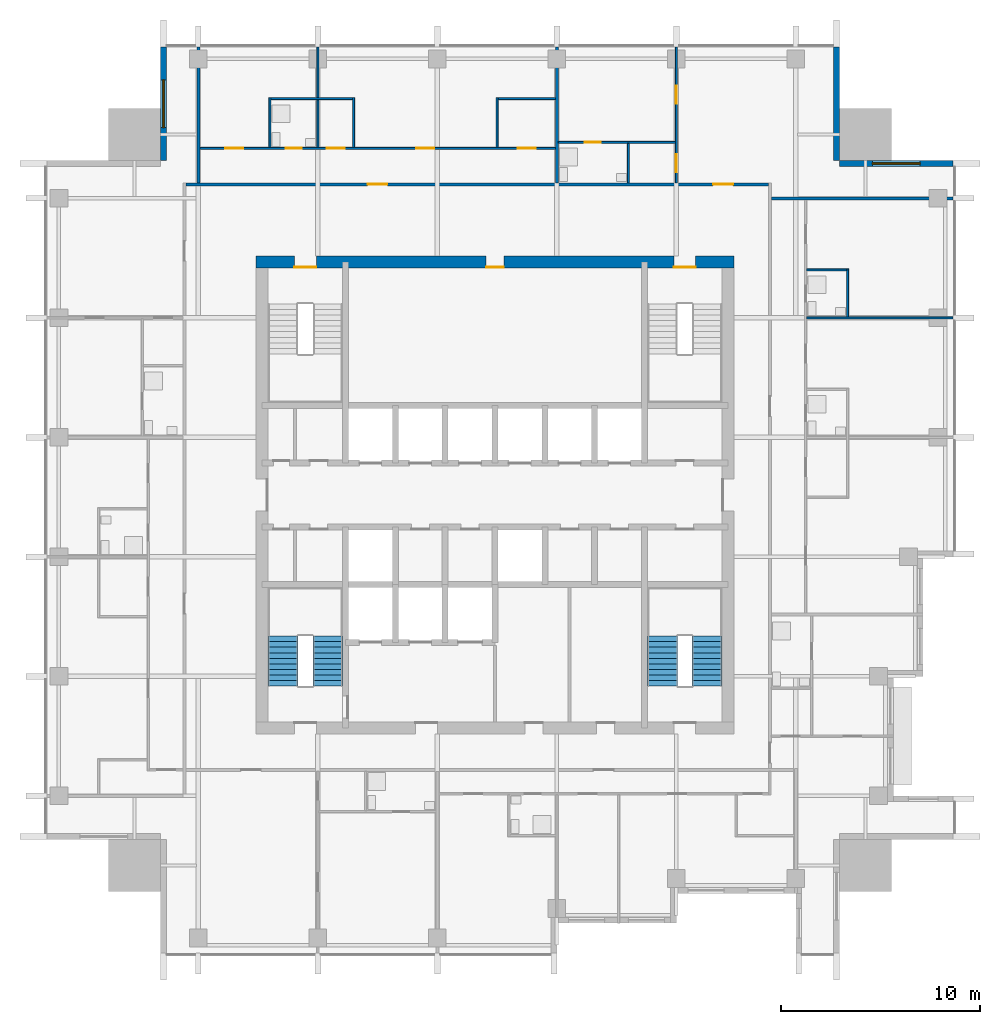
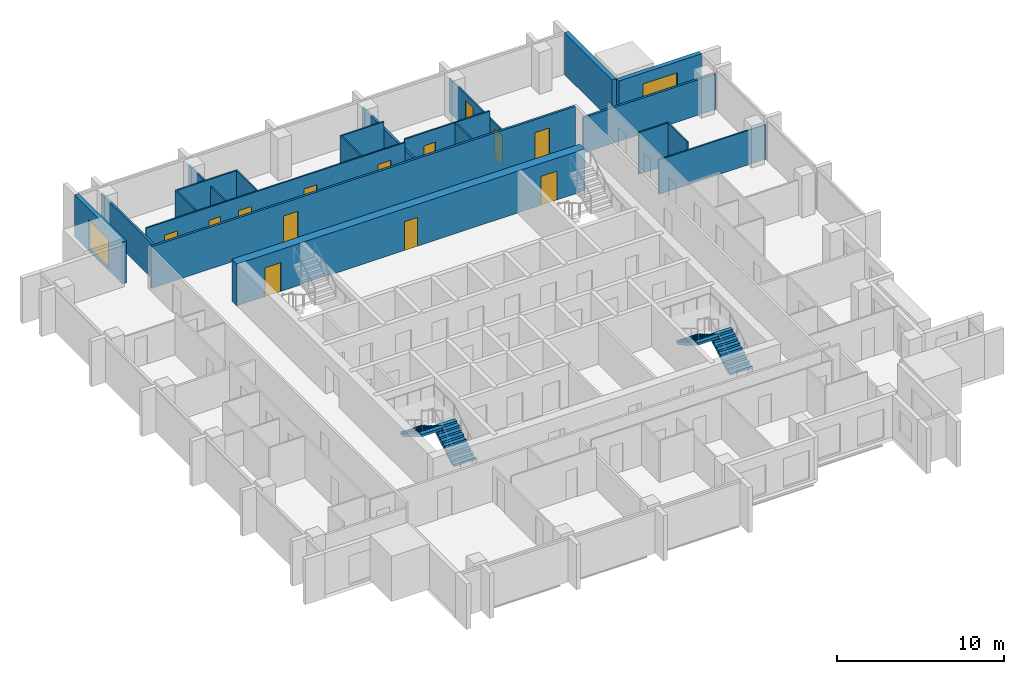
# One storey, part 7 of 10: 21 walls, 13 doors, 4 stair flights, 2 windows, 15 openings, 2 elements without a shape of their own.
"""IFC4 building model written with IfcOpenShell, lengths in metres."""

import ifcopenshell
import ifcopenshell.guid

model = None  # the IFC model being written
_history = None  # IfcOwnerHistory: only IFC2X3 demands one
_inside = {}  # id of a spatial element -> (the spatial element, [elements in it])
_under = {}  # id of a project, library or spatial element -> (it, [spatial elements below it])
_declared = {}  # id of a project -> (the project, [libraries it declares])
_typed = {}  # id of a type object -> (the type object, [elements of that type])
_made_of = {}  # id of a material, layer set ... -> (it, [elements and type objects made of it])


def new_model(schema):
    """Start an empty IFC model of exactly this schema.

    Asked for "IFC4X3", IfcOpenShell would pick the latest addendum, in which some entities
    have other attributes; the version numbers below select the first issue.
    IFC2X3 requires an IfcOwnerHistory on every rooted entity: one is made here for all.
    """
    global model, _history
    if schema == "IFC4X3":
        model = ifcopenshell.file(schema_version=(4, 3, 0, 0))
    else:
        model = ifcopenshell.file(schema=schema)
    _inside.clear()
    _under.clear()
    _declared.clear()
    _typed.clear()
    _made_of.clear()
    _history = None
    if model.schema == "IFC2X3":
        org = make("IfcOrganization", Name="unknown")
        user = make(
            "IfcPersonAndOrganization",
            ThePerson=make("IfcPerson", FamilyName="unknown"),
            TheOrganization=org,
        )
        app = make(
            "IfcApplication",
            ApplicationDeveloper=org,
            Version="unknown",
            ApplicationFullName="unknown",
            ApplicationIdentifier="unknown",
        )
        _history = make(
            "IfcOwnerHistory",
            OwningUser=user,
            OwningApplication=app,
            ChangeAction="ADDED",
            CreationDate=0,
        )
    return model


def make(cls, **values):
    """One entity of the class cls with the attributes given. An attribute that is None is left unset."""
    return model.create_entity(
        cls, **{name: value for name, value in values.items() if value is not None}
    )


def rooted(cls, **values):
    """An entity with a GlobalId (a new one), such as an element, a storey or a relation."""
    return make(cls, GlobalId=ifcopenshell.guid.new(), OwnerHistory=_history, **values)


def si_unit(unit_type, name, prefix=None):
    """IfcSIUnit, for example si_unit("LENGTHUNIT", "METRE", prefix="MILLI")."""
    return make("IfcSIUnit", UnitType=unit_type, Prefix=prefix, Name=name)


def assignment(units):
    """IfcUnitAssignment: the units of a project."""
    return None if units is None else make("IfcUnitAssignment", Units=units)


def point(xyz):
    """IfcCartesianPoint."""
    return None if xyz is None else make("IfcCartesianPoint", Coordinates=xyz)


def direction(xyz):
    """IfcDirection."""
    return None if xyz is None else make("IfcDirection", DirectionRatios=xyz)


def frame(location, z_axis=None, x_axis=None):
    """IfcAxis2Placement3D, a coordinate frame: its origin and axes. An axis left out is left unset."""
    return make(
        "IfcAxis2Placement3D",
        Location=point(location),
        Axis=direction(z_axis),
        RefDirection=direction(x_axis),
    )


def frame_2d(location, x_axis=None):
    """IfcAxis2Placement2D, a coordinate frame in the plane: its origin and x axis."""
    return make(
        "IfcAxis2Placement2D", Location=point(location), RefDirection=direction(x_axis)
    )


def origin():
    """The frame at (0, 0, 0) with its axes left unset."""
    return frame((0.0, 0.0, 0.0))


def place(relative_to, where):
    """IfcLocalPlacement: puts the frame where relative to a parent placement (None: the world)."""
    return make(
        "IfcLocalPlacement", PlacementRelTo=relative_to, RelativePlacement=where
    )


def context(
    kind, dimensions, precision=None, world=None, true_north=None, identifier=None
):
    """IfcGeometricRepresentationContext, for example the 3D "Model" context."""
    return make(
        "IfcGeometricRepresentationContext",
        ContextIdentifier=identifier,
        ContextType=kind,
        CoordinateSpaceDimension=dimensions,
        Precision=precision,
        WorldCoordinateSystem=world,
        TrueNorth=true_north,
    )


def subcontext(parent, identifier, kind, view, scale=None):
    """IfcGeometricRepresentationSubContext, for example "Body" below "Model"."""
    return make(
        "IfcGeometricRepresentationSubContext",
        ContextIdentifier=identifier,
        ContextType=kind,
        ParentContext=parent,
        TargetScale=scale,
        TargetView=view,
    )


def project(units=None, contexts=None):
    """IfcProject with its units and contexts."""
    return rooted(
        "IfcProject",
        Name="project",
        RepresentationContexts=contexts,
        UnitsInContext=assignment(units),
    )


def spatial(cls, under=None, at=None, **own):
    """A site, building, storey or space (cls), placed at a placement, below another one or the project."""
    s = rooted(cls, ObjectPlacement=at, **own)
    if under is not None:
        _under.setdefault(under.id(), (under, []))[1].append(s)
    return s


def polyline(points):
    """IfcPolyline through the points."""
    return make("IfcPolyline", Points=[point(p) for p in points])


def profile(cls, at=None, kind="AREA", **sizes):
    """A parametric profile (cls). Its sizes go by their IFC names, for example OverallWidth=200.0."""
    return make(cls, ProfileType=kind, Position=at, **sizes)


def rectangle(**sizes):
    """IfcRectangleProfileDef."""
    return profile("IfcRectangleProfileDef", **sizes)


def outline(outer, holes=None, kind="AREA"):
    """IfcArbitraryClosedProfileDef: a profile drawn as a closed curve; with holes, ...WithVoids."""
    if holes is None:
        return make("IfcArbitraryClosedProfileDef", ProfileType=kind, OuterCurve=outer)
    return make(
        "IfcArbitraryProfileDefWithVoids",
        ProfileType=kind,
        OuterCurve=outer,
        InnerCurves=holes,
    )


def extrude(swept, where, along, depth):
    """IfcExtrudedAreaSolid: the profile swept, set in the frame where, extruded along a direction by depth."""
    return make(
        "IfcExtrudedAreaSolid",
        SweptArea=swept,
        Position=where,
        ExtrudedDirection=direction(along),
        Depth=depth,
    )


def shape(context_of_items, identifier, shape_type, items):
    """IfcShapeRepresentation: the items that make up one representation, for example the "Body"."""
    return make(
        "IfcShapeRepresentation",
        ContextOfItems=context_of_items,
        RepresentationIdentifier=identifier,
        RepresentationType=shape_type,
        Items=items,
    )


def material(Name=None, Category=None):
    """IfcMaterial."""
    return make("IfcMaterial", Name=Name, Category=Category)


def layer(
    of_material, thickness, ventilated=None, Name=None, Category=None, Priority=None
):
    """IfcMaterialLayer: one layer of a wall or slab, of a material (None: an air gap)."""
    return make(
        "IfcMaterialLayer",
        Material=of_material,
        LayerThickness=thickness,
        IsVentilated=ventilated,
        Name=Name,
        Category=Category,
        Priority=Priority,
    )


def layer_set(layers, Name=None):
    """IfcMaterialLayerSet."""
    return make("IfcMaterialLayerSet", MaterialLayers=layers, LayerSetName=Name)


def made_of(thing, what):
    """Note that an element or type object is made of a material, layer set ...; save() writes the relation."""
    if what is not None:
        _made_of.setdefault(what.id(), (what, []))[1].append(thing)
    return thing


def type_object(cls, material=None, **own):
    """A type object (cls), such as IfcWallType, which elements share."""
    return made_of(rooted(cls, **own), material)


def element(
    cls,
    number,
    at=None,
    inside=None,
    cuts=None,
    type_object=None,
    material=None,
    context=None,
    identifier="Body",
    shape_type=None,
    held_by="IfcProductDefinitionShape",
    body=None,
    shapes=None,
    **own,
):
    """One element of the class cls, such as IfcWall. Its Tag is "e" and its number.

    at: its placement. inside: the storey or other place that contains it. cuts: it is an
    opening in that element (IfcRelVoidsElement). A single representation is given by context,
    identifier, shape_type and body (its items); several are given by shapes. held_by: the class
    of the entity that holds the representations. save() writes the other relations.
    """
    e = rooted(cls, Tag="e%d" % number, ObjectPlacement=at, **own)
    if body is not None:
        shapes = [shape(context, identifier, shape_type, body)]
    if shapes is not None:
        e.Representation = make(held_by, Representations=shapes)
    if inside is not None:
        _inside.setdefault(inside.id(), (inside, []))[1].append(e)
    if cuts is not None:
        rooted(
            "IfcRelVoidsElement", RelatingBuildingElement=cuts, RelatedOpeningElement=e
        )
    if type_object is not None:
        _typed.setdefault(type_object.id(), (type_object, []))[1].append(e)
    return made_of(e, material)


def fill(opening, filler):
    """IfcRelFillsElement: the door or window that sits in an opening."""
    return rooted(
        "IfcRelFillsElement",
        RelatingOpeningElement=opening,
        RelatedBuildingElement=filler,
    )


def aggregate(whole, parts):
    """IfcRelAggregates: a whole, such as a stair, and the parts it consists of."""
    return rooted("IfcRelAggregates", RelatingObject=whole, RelatedObjects=parts)


def save(model, path):
    """Write the relations noted so far, then the file.

    IfcRelAggregates (storeys below a building ...), IfcRelContainedInSpatialStructure (elements
    in a storey), IfcRelDefinesByType, IfcRelAssociatesMaterial and IfcRelDeclares: one each for
    every whole, place, type object, material and project.
    """
    for whole, parts in _under.values():
        aggregate(whole, parts)
    for where, things in _inside.values():
        rooted(
            "IfcRelContainedInSpatialStructure",
            RelatedElements=things,
            RelatingStructure=where,
        )
    for kind, things in _typed.values():
        rooted("IfcRelDefinesByType", RelatedObjects=things, RelatingType=kind)
    for what, things in _made_of.values():
        rooted("IfcRelAssociatesMaterial", RelatedObjects=things, RelatingMaterial=what)
    for by, libraries in _declared.values():
        rooted("IfcRelDeclares", RelatingContext=by, RelatedDefinitions=libraries)
    model.write(path)


model = new_model("IFC4")

# Units and contexts
model_context = context("Model", 3, precision=1e-05, world=origin(), true_north=direction((0.0, 1.0)))
body_context = subcontext(model_context, "Body", "Model", "MODEL_VIEW")
ifc_project = project(units=[si_unit("LENGTHUNIT", "METRE"), si_unit("AREAUNIT", "SQUARE_METRE"), si_unit("VOLUMEUNIT", "CUBIC_METRE"), si_unit("PLANEANGLEUNIT", "RADIAN"), si_unit("MASSUNIT", "GRAM", prefix="KILO")], contexts=[model_context])

# Site, building, storey
site_placement = place(None, origin())
site = spatial("IfcSite", under=ifc_project, at=site_placement, CompositionType="ELEMENT")
building_placement = place(site_placement, origin())
building = spatial("IfcBuilding", under=site, at=building_placement, Name="Amberfall Residences", CompositionType="ELEMENT")
storey_placement = place(building_placement, frame((0.0, 0.0, 190.300048828125)))
storey = spatial("IfcBuildingStorey", under=building, at=storey_placement, Name="L50", CompositionType="ELEMENT", Elevation=190.300048828125)

# Wall, opening, window
ifc_material_1 = material(Name="Pale stone cladding on insulated backing", Category="masonry")
ifc_layer_1 = layer(ifc_material_1, 0.300048828125)
ifc_layer_set_1 = layer_set([ifc_layer_1], Name="Bronze clad wall 300")
wall_type_1 = type_object("IfcWallType", Name="Bronze clad wall 300", PredefinedType="SOLIDWALL", material=ifc_layer_set_1)
wall_1_placement = place(storey_placement, frame((97.5, 62.14990234375, 0.0), z_axis=(0.0, 0.0, 1.0), x_axis=(-1.0, 0.0, 0.0)))
wall_1 = element("IfcWall", 1, at=wall_1_placement, inside=storey, type_object=wall_type_1, Name="External wall L50 NE", PredefinedType="SOLIDWALL", context=body_context, shape_type="SweptSolid", body=[
    extrude(rectangle(XDim=5.699951171875, YDim=0.300048828125, at=frame_2d((2.85009765625, 0.0))), origin(), (0.0, 0.0, 1.0), 3.050048828125),
])
opening_1_placement = place(wall_1_placement, frame((1.64990234375, 0.0, 0.14990234375)))
opening_1 = element("IfcOpeningElement", 2, at=opening_1_placement, cuts=wall_1, Name="Opening WN5", PredefinedType="OPENING", context=body_context, shape_type="SweptSolid", body=[
    extrude(rectangle(XDim=2.39990234375, YDim=2.10009765625, at=frame_2d((1.199951171875, 1.050048828125))), frame((0.0, 0.159912109375, 0.0), z_axis=(0.0, -1.0, 0.0), x_axis=(1.0, 0.0, 0.0)), (0.0, 0.0, 1.0), 0.320068359375),
])
ifc_material_2 = material(Name="Bronze aluminium framed glazing", Category="aluminium")
window_type = type_object("IfcWindowType", Name="Glazed opening 2400 x 2100 bronze", PartitioningType="DOUBLE_PANEL_VERTICAL", PredefinedType="WINDOW", material=ifc_material_2)
window_1_placement = place(opening_1_placement, origin())
window_1 = element("IfcWindow", 3, at=window_1_placement, inside=storey, type_object=window_type, Name="Window L50 NE", OverallHeight=2.10009765625, OverallWidth=2.39990234375, PartitioningType="DOUBLE_PANEL_VERTICAL", PredefinedType="WINDOW", context=body_context, shape_type="SweptSolid", body=[
    extrude(rectangle(XDim=2.39990234375, YDim=2.10009765625, at=frame_2d((1.199951171875, 1.050048828125))), frame((0.0, 0.030029296875, 0.0), z_axis=(0.0, -1.0, 0.0), x_axis=(1.0, 0.0, 0.0)), (0.0, 0.0, 1.0), 0.06005859375),
])
fill(opening_1, window_1)

# Wall
wall_2_placement = place(storey_placement, frame((91.64990234375, 62.300048828125, 0.0), z_axis=(0.0, 0.0, 1.0), x_axis=(0.0, 1.0, 0.0)))
element("IfcWall", 4, at=wall_2_placement, inside=storey, type_object=wall_type_1, Name="External wall L50 NE", PredefinedType="SOLIDWALL", context=body_context, shape_type="SweptSolid", body=[
    extrude(rectangle(XDim=5.699951171875, YDim=0.300048828125, at=frame_2d((2.85009765625, 0.0))), origin(), (0.0, 0.0, 1.0), 3.050048828125),
])

# Wall, opening, window
wall_3_placement = place(storey_placement, frame((57.85009765625, 68.0, 0.0), z_axis=(0.0, 0.0, 1.0), x_axis=(0.0, -1.0, 0.0)))
wall_3 = element("IfcWall", 5, at=wall_3_placement, inside=storey, type_object=wall_type_1, Name="External wall L50 NW", PredefinedType="SOLIDWALL", context=body_context, shape_type="SweptSolid", body=[
    extrude(rectangle(XDim=5.699951171875, YDim=0.300048828125, at=frame_2d((2.85009765625, 0.0))), origin(), (0.0, 0.0, 1.0), 3.050048828125),
])
opening_2_placement = place(wall_3_placement, frame((1.64990234375, 0.0, 0.14990234375)))
opening_2 = element("IfcOpeningElement", 6, at=opening_2_placement, cuts=wall_3, Name="Opening WN5", PredefinedType="OPENING", context=body_context, shape_type="SweptSolid", body=[
    extrude(rectangle(XDim=2.39990234375, YDim=2.10009765625, at=frame_2d((1.199951171875, 1.050048828125))), frame((0.0, 0.159912109375, 0.0), z_axis=(0.0, -1.0, 0.0), x_axis=(1.0, 0.0, 0.0)), (0.0, 0.0, 1.0), 0.320068359375),
])
window_2_placement = place(opening_2_placement, origin())
window_2 = element("IfcWindow", 7, at=window_2_placement, inside=storey, type_object=window_type, Name="Window L50 NW", OverallHeight=2.10009765625, OverallWidth=2.39990234375, PartitioningType="DOUBLE_PANEL_VERTICAL", PredefinedType="WINDOW", context=body_context, shape_type="SweptSolid", body=[
    extrude(rectangle(XDim=2.39990234375, YDim=2.10009765625, at=frame_2d((1.199951171875, 1.050048828125))), frame((0.0, 0.030029296875, 0.0), z_axis=(0.0, -1.0, 0.0), x_axis=(1.0, 0.0, 0.0)), (0.0, 0.0, 1.0), 0.06005859375),
])
fill(opening_2, window_2)

# Wall, openings, doors
ifc_material_3 = material(Name="Concrete C55", Category="concrete")
ifc_layer_2 = layer(ifc_material_3, 0.60009765625)
ifc_layer_set_2 = layer_set([ifc_layer_2], Name="Core wall 600 C55")
wall_type_2 = type_object("IfcWallType", Name="Core wall 600 C55", PredefinedType="SHEAR", material=ifc_layer_set_2)
wall_4_placement = place(storey_placement, frame((62.5, 57.199951171875, 0.0), z_axis=(0.0, 0.0, 1.0), x_axis=(1.0, 0.0, 0.0)))
wall_4 = element("IfcWall", 8, at=wall_4_placement, inside=storey, type_object=wall_type_2, Name="Core wall RW7 L50 ON", PredefinedType="SHEAR", context=body_context, shape_type="SweptSolid", body=[
    extrude(rectangle(XDim=24.0, YDim=0.60009765625, at=frame_2d((12.0, 0.0))), origin(), (0.0, 0.0, 1.0), 3.050048828125),
])
opening_3_placement = place(wall_4_placement, frame((20.97509765625, 0.0, 0.0)))
opening_3 = element("IfcOpeningElement", 9, at=opening_3_placement, cuts=wall_4, Name="Opening SD1", PredefinedType="OPENING", context=body_context, shape_type="SweptSolid", body=[
    extrude(rectangle(XDim=1.10009765625, YDim=2.10009765625, at=frame_2d((0.550048828125, 1.050048828125))), frame((0.0, 0.31005859375, 0.0), z_axis=(0.0, -1.0, 0.0), x_axis=(1.0, 0.0, 0.0)), (0.0, 0.0, 1.0), 0.6201171875),
])
opening_4_placement = place(wall_4_placement, frame((1.925048828125, 0.0, 0.0)))
opening_4 = element("IfcOpeningElement", 10, at=opening_4_placement, cuts=wall_4, Name="Opening SD1", PredefinedType="OPENING", context=body_context, shape_type="SweptSolid", body=[
    extrude(rectangle(XDim=1.10009765625, YDim=2.10009765625, at=frame_2d((0.550048828125, 1.050048828125))), frame((0.0, 0.31005859375, 0.0), z_axis=(0.0, -1.0, 0.0), x_axis=(1.0, 0.0, 0.0)), (0.0, 0.0, 1.0), 0.6201171875),
])
opening_5_placement = place(wall_4_placement, frame((11.550048828125, 0.0, 0.0)))
opening_5 = element("IfcOpeningElement", 11, at=opening_5_placement, cuts=wall_4, Name="Opening RD1", PredefinedType="OPENING", context=body_context, shape_type="SweptSolid", body=[
    extrude(rectangle(XDim=0.89990234375, YDim=2.10009765625, at=frame_2d((0.449951171875, 1.050048828125))), frame((0.0, 0.31005859375, 0.0), z_axis=(0.0, -1.0, 0.0), x_axis=(1.0, 0.0, 0.0)), (0.0, 0.0, 1.0), 0.6201171875),
])
ifc_material_4 = material(Name="Steel fire door set", Category="steel")
door_type_1 = type_object("IfcDoorType", Name="Service room door 900 x 2100", OperationType="SINGLE_SWING_LEFT", PredefinedType="DOOR", material=ifc_material_4)
door_1_placement = place(opening_5_placement, origin())
door_1 = element("IfcDoor", 12, at=door_1_placement, inside=storey, type_object=door_type_1, Name="RD1 L50", OperationType="SINGLE_SWING_RIGHT", OverallHeight=2.10009765625, OverallWidth=0.89990234375, PredefinedType="DOOR", context=body_context, shape_type="SweptSolid", body=[
    extrude(rectangle(XDim=0.89990234375, YDim=2.10009765625, at=frame_2d((0.449951171875, 1.050048828125))), frame((0.0, -0.2373046875, 0.0), z_axis=(0.0, -1.0, 0.0), x_axis=(1.0, 0.0, 0.0)), (0.0, 0.0, 1.0), 0.050048828125),
])
fill(opening_5, door_1)
door_type_2 = type_object("IfcDoorType", Name="Stair door 1100 x 2100", OperationType="SINGLE_SWING_LEFT", PredefinedType="DOOR", material=ifc_material_4)
door_2_placement = place(opening_3_placement, origin())
door_2 = element("IfcDoor", 13, at=door_2_placement, inside=storey, type_object=door_type_2, Name="SD1 L50", OperationType="SINGLE_SWING_RIGHT", OverallHeight=2.10009765625, OverallWidth=1.10009765625, PredefinedType="DOOR", context=body_context, shape_type="SweptSolid", body=[
    extrude(rectangle(XDim=1.10009765625, YDim=2.10009765625, at=frame_2d((0.550048828125, 1.050048828125))), frame((0.0, -0.2373046875, 0.0), z_axis=(0.0, -1.0, 0.0), x_axis=(1.0, 0.0, 0.0)), (0.0, 0.0, 1.0), 0.050048828125),
])
fill(opening_3, door_2)
door_3_placement = place(opening_4_placement, origin())
door_3 = element("IfcDoor", 14, at=door_3_placement, inside=storey, type_object=door_type_2, Name="SD1 L50", OperationType="SINGLE_SWING_LEFT", OverallHeight=2.10009765625, OverallWidth=1.10009765625, PredefinedType="DOOR", context=body_context, shape_type="SweptSolid", body=[
    extrude(rectangle(XDim=1.10009765625, YDim=2.10009765625, at=frame_2d((0.550048828125, 1.050048828125))), frame((0.0, -0.2373046875, 0.0), z_axis=(0.0, -1.0, 0.0), x_axis=(1.0, 0.0, 0.0)), (0.0, 0.0, 1.0), 0.050048828125),
])
fill(opening_4, door_3)

# Walls
ifc_material_5 = material(Name="Gypsum board on metal stud")
ifc_layer_3 = layer(ifc_material_5, 0.10009765625)
ifc_layer_set_3 = layer_set([ifc_layer_3], Name="Flat partition 100")
wall_type_3 = type_object("IfcWallType", Name="Flat partition 100", PredefinedType="PARTITIONING", material=ifc_layer_set_3)
wall_5_placement = place(storey_placement, frame((63.199951171875, 62.949951171875, 0.0), z_axis=(0.0, 0.0, 1.0), x_axis=(0.0, 1.0, 0.0)))
element("IfcWall", 15, at=wall_5_placement, inside=storey, type_object=wall_type_3, Name="Partition 005", PredefinedType="PARTITIONING", context=body_context, shape_type="SweptSolid", body=[
    extrude(rectangle(XDim=2.5, YDim=0.10009765625, at=frame_2d((1.25, 0.0))), origin(), (0.0, 0.0, 1.0), 3.050048828125),
])
wall_6_placement = place(storey_placement, frame((65.60009765625, 62.949951171875, 0.0), z_axis=(0.0, 0.0, 1.0), x_axis=(0.0, 1.0, 0.0)))
element("IfcWall", 16, at=wall_6_placement, inside=storey, type_object=wall_type_3, Name="Partition 007", PredefinedType="PARTITIONING", context=body_context, shape_type="SweptSolid", body=[
    extrude(rectangle(XDim=5.050048828125, YDim=0.10009765625, at=frame_2d((2.52490234375, 0.0))), origin(), (0.0, 0.0, 1.0), 2.515869140625),
])
for number, where, z_axis, x_axis, name in (
    (17, (67.39990234375, 62.949951171875, 0.0), (0.0, 0.0, 1.0), (0.0, 1.0, 0.0), "Partition 008"),
    (18, (74.60009765625, 62.949951171875, 0.0), (0.0, 0.0, 1.0), (0.0, 1.0, 0.0), "Partition 010"),
):
    element("IfcWall", number, at=place(storey_placement, frame(where, z_axis=z_axis, x_axis=x_axis)), inside=storey, type_object=wall_type_3, Name=name, PredefinedType="PARTITIONING", context=body_context, shape_type="SweptSolid", body=[
        extrude(rectangle(XDim=2.5, YDim=0.10009765625, at=frame_2d((1.25, 0.0))), origin(), (0.0, 0.0, 1.0), 3.050048828125),
    ])
wall_7_placement = place(storey_placement, frame((81.199951171875, 61.175048828125, 0.0), z_axis=(0.0, 0.0, 1.0), x_axis=(0.0, 1.0, 0.0)))
element("IfcWall", 19, at=wall_7_placement, inside=storey, type_object=wall_type_3, Name="Partition 014", PredefinedType="PARTITIONING", context=body_context, shape_type="SweptSolid", body=[
    extrude(rectangle(XDim=1.974853515625, YDim=0.10009765625, at=frame_2d((0.9873046875, 0.0))), origin(), (0.0, 0.0, 1.0), 3.050048828125),
])

# Wall, openings, doors
wall_8_placement = place(storey_placement, frame((83.60009765625, 61.175048828125, 0.0), z_axis=(0.0, 0.0, 1.0), x_axis=(0.0, 1.0, 0.0)))
wall_8 = element("IfcWall", 20, at=wall_8_placement, inside=storey, type_object=wall_type_3, Name="Partition 015", PredefinedType="PARTITIONING", context=body_context, shape_type="SweptSolid", body=[
    extrude(rectangle(XDim=6.824951171875, YDim=0.10009765625, at=frame_2d((3.41259765625, 0.0))), origin(), (0.0, 0.0, 1.0), 2.515869140625),
])
opening_6_placement = place(wall_8_placement, frame((0.52490234375, 0.0, 0.0)))
opening_6 = element("IfcOpeningElement", 21, at=opening_6_placement, cuts=wall_8, Name="Opening D41", PredefinedType="OPENING", context=body_context, shape_type="SweptSolid", body=[
    extrude(rectangle(XDim=0.89990234375, YDim=2.10009765625, at=frame_2d((0.449951171875, 1.050048828125))), frame((0.0, 0.06005859375, 0.0), z_axis=(0.0, -1.0, 0.0), x_axis=(1.0, 0.0, 0.0)), (0.0, 0.0, 1.0), 0.1201171875),
])
opening_7_placement = place(wall_8_placement, frame((3.97509765625, 0.0, 0.0)))
opening_7 = element("IfcOpeningElement", 22, at=opening_7_placement, cuts=wall_8, Name="Opening D41", PredefinedType="OPENING", context=body_context, shape_type="SweptSolid", body=[
    extrude(rectangle(XDim=0.89990234375, YDim=2.10009765625, at=frame_2d((0.449951171875, 1.050048828125))), frame((0.0, 0.06005859375, 0.0), z_axis=(0.0, -1.0, 0.0), x_axis=(1.0, 0.0, 0.0)), (0.0, 0.0, 1.0), 0.1201171875),
])
ifc_material_6 = material(Name="Timber", Category="wood")
door_type_3 = type_object("IfcDoorType", Name="Internal door 900 x 2100", OperationType="SINGLE_SWING_LEFT", PredefinedType="DOOR", material=ifc_material_6)
door_4_placement = place(opening_6_placement, origin())
door_4 = element("IfcDoor", 23, at=door_4_placement, inside=storey, type_object=door_type_3, Name="Door 5006 kitchen", OperationType="SINGLE_SWING_LEFT", OverallHeight=2.10009765625, OverallWidth=0.89990234375, PredefinedType="DOOR", context=body_context, shape_type="SweptSolid", body=[
    extrude(rectangle(XDim=0.89990234375, YDim=2.10009765625, at=frame_2d((0.449951171875, 1.050048828125))), frame((0.0, 0.02490234375, 0.0), z_axis=(0.0, -1.0, 0.0), x_axis=(1.0, 0.0, 0.0)), (0.0, 0.0, 1.0), 0.050048828125),
])
fill(opening_6, door_4)
door_5_placement = place(opening_7_placement, origin())
door_5 = element("IfcDoor", 24, at=door_5_placement, inside=storey, type_object=door_type_3, Name="Door 5006 bedroom1", OperationType="SINGLE_SWING_LEFT", OverallHeight=2.10009765625, OverallWidth=0.89990234375, PredefinedType="DOOR", context=body_context, shape_type="SweptSolid", body=[
    extrude(rectangle(XDim=0.89990234375, YDim=2.10009765625, at=frame_2d((0.449951171875, 1.050048828125))), frame((0.0, 0.02490234375, 0.0), z_axis=(0.0, -1.0, 0.0), x_axis=(1.0, 0.0, 0.0)), (0.0, 0.0, 1.0), 0.050048828125),
])
fill(opening_7, door_5)

# Walls
wall_9_placement = place(storey_placement, frame((92.199951171875, 54.449951171875, 0.0), z_axis=(0.0, 0.0, 1.0), x_axis=(0.0, 1.0, 0.0)))
element("IfcWall", 25, at=wall_9_placement, inside=storey, type_object=wall_type_3, Name="Partition 021", PredefinedType="PARTITIONING", context=body_context, shape_type="SweptSolid", body=[
    extrude(rectangle(XDim=2.400146484375, YDim=0.10009765625, at=frame_2d((1.2001953125, 0.0))), origin(), (0.0, 0.0, 1.0), 3.050048828125),
])
wall_10_placement = place(storey_placement, frame((63.25, 65.39990234375, 0.0), z_axis=(0.0, 0.0, 1.0), x_axis=(1.0, 0.0, 0.0)))
element("IfcWall", 26, at=wall_10_placement, inside=storey, type_object=wall_type_3, Name="Partition 022", PredefinedType="PARTITIONING", context=body_context, shape_type="SweptSolid", body=[
    extrude(rectangle(XDim=4.10009765625, YDim=0.10009765625, at=frame_2d((2.050048828125, 0.0))), origin(), (0.0, 0.0, 1.0), 3.050048828125),
])
wall_11_placement = place(storey_placement, frame((74.64990234375, 65.39990234375, 0.0), z_axis=(0.0, 0.0, 1.0), x_axis=(1.0, 0.0, 0.0)))
element("IfcWall", 27, at=wall_11_placement, inside=storey, type_object=wall_type_3, Name="Partition 023", PredefinedType="PARTITIONING", context=body_context, shape_type="SweptSolid", body=[
    extrude(rectangle(XDim=2.875, YDim=0.10009765625, at=frame_2d((1.4375, 0.0))), origin(), (0.0, 0.0, 1.0), 3.050048828125),
])

# Wall, opening, door
wall_12_placement = place(storey_placement, frame((83.550048828125, 63.199951171875, 0.0), z_axis=(0.0, 0.0, 1.0), x_axis=(-1.0, 0.0, 0.0)))
wall_12 = element("IfcWall", 28, at=wall_12_placement, inside=storey, type_object=wall_type_3, Name="Partition 024", PredefinedType="PARTITIONING", context=body_context, shape_type="SweptSolid", body=[
    extrude(rectangle(XDim=5.875, YDim=0.10009765625, at=frame_2d((2.9375, 0.0))), origin(), (0.0, 0.0, 1.0), 3.050048828125),
])
opening_8_placement = place(wall_12_placement, frame((3.75, 0.0, 0.0)))
opening_8 = element("IfcOpeningElement", 29, at=opening_8_placement, cuts=wall_12, Name="Opening D42", PredefinedType="OPENING", context=body_context, shape_type="SweptSolid", body=[
    extrude(rectangle(XDim=0.800048828125, YDim=2.10009765625, at=frame_2d((0.39990234375, 1.050048828125))), frame((0.0, 0.06005859375, 0.0), z_axis=(0.0, -1.0, 0.0), x_axis=(1.0, 0.0, 0.0)), (0.0, 0.0, 1.0), 0.1201171875),
])
door_type_4 = type_object("IfcDoorType", Name="Bathroom door 800 x 2100", OperationType="SINGLE_SWING_LEFT", PredefinedType="DOOR", material=ifc_material_6)
door_6_placement = place(opening_8_placement, origin())
door_6 = element("IfcDoor", 30, at=door_6_placement, inside=storey, type_object=door_type_4, Name="Door 5006 bath1", OperationType="SINGLE_SWING_LEFT", OverallHeight=2.10009765625, OverallWidth=0.800048828125, PredefinedType="DOOR", context=body_context, shape_type="SweptSolid", body=[
    extrude(rectangle(XDim=0.800048828125, YDim=2.10009765625, at=frame_2d((0.39990234375, 1.050048828125))), frame((0.0, 0.02490234375, 0.0), z_axis=(0.0, -1.0, 0.0), x_axis=(1.0, 0.0, 0.0)), (0.0, 0.0, 1.0), 0.050048828125),
])
fill(opening_8, door_6)

# Wall, openings, doors
wall_13_placement = place(storey_placement, frame((59.675048828125, 62.89990234375, 0.0), z_axis=(0.0, 0.0, 1.0), x_axis=(1.0, 0.0, 0.0)))
wall_13 = element("IfcWall", 31, at=wall_13_placement, inside=storey, type_object=wall_type_3, Name="Partition 025", PredefinedType="PARTITIONING", context=body_context, shape_type="SweptSolid", body=[
    extrude(rectangle(XDim=17.849853515625, YDim=0.10009765625, at=frame_2d((8.9248046875, 0.0))), origin(), (0.0, 0.0, 1.0), 3.050048828125),
])
opening_9_placement = place(wall_13_placement, frame((10.875, 0.0, 0.0)))
opening_9 = element("IfcOpeningElement", 32, at=opening_9_placement, cuts=wall_13, Name="Opening D41", PredefinedType="OPENING", context=body_context, shape_type="SweptSolid", body=[
    extrude(rectangle(XDim=0.89990234375, YDim=2.10009765625, at=frame_2d((0.449951171875, 1.050048828125))), frame((0.0, 0.06005859375, 0.0), z_axis=(0.0, -1.0, 0.0), x_axis=(1.0, 0.0, 0.0)), (0.0, 0.0, 1.0), 0.1201171875),
])
opening_10_placement = place(wall_13_placement, frame((15.97509765625, 0.0, 0.0)))
opening_10 = element("IfcOpeningElement", 33, at=opening_10_placement, cuts=wall_13, Name="Opening D41", PredefinedType="OPENING", context=body_context, shape_type="SweptSolid", body=[
    extrude(rectangle(XDim=0.89990234375, YDim=2.10009765625, at=frame_2d((0.449951171875, 1.050048828125))), frame((0.0, 0.06005859375, 0.0), z_axis=(0.0, -1.0, 0.0), x_axis=(1.0, 0.0, 0.0)), (0.0, 0.0, 1.0), 0.1201171875),
])
opening_11_placement = place(wall_13_placement, frame((6.375, 0.0, 0.0)))
opening_11 = element("IfcOpeningElement", 34, at=opening_11_placement, cuts=wall_13, Name="Opening D41", PredefinedType="OPENING", context=body_context, shape_type="SweptSolid", body=[
    extrude(rectangle(XDim=0.89990234375, YDim=2.10009765625, at=frame_2d((0.449951171875, 1.050048828125))), frame((0.0, 0.06005859375, 0.0), z_axis=(0.0, -1.0, 0.0), x_axis=(1.0, 0.0, 0.0)), (0.0, 0.0, 1.0), 0.1201171875),
])
opening_12_placement = place(wall_13_placement, frame((1.27490234375, 0.0, 0.0)))
opening_12 = element("IfcOpeningElement", 35, at=opening_12_placement, cuts=wall_13, Name="Opening D41", PredefinedType="OPENING", context=body_context, shape_type="SweptSolid", body=[
    extrude(rectangle(XDim=0.89990234375, YDim=2.10009765625, at=frame_2d((0.449951171875, 1.050048828125))), frame((0.0, 0.06005859375, 0.0), z_axis=(0.0, -1.0, 0.0), x_axis=(1.0, 0.0, 0.0)), (0.0, 0.0, 1.0), 0.1201171875),
])
opening_13_placement = place(wall_13_placement, frame((4.324951171875, 0.0, 0.0)))
opening_13 = element("IfcOpeningElement", 36, at=opening_13_placement, cuts=wall_13, Name="Opening D42", PredefinedType="OPENING", context=body_context, shape_type="SweptSolid", body=[
    extrude(rectangle(XDim=0.800048828125, YDim=2.10009765625, at=frame_2d((0.39990234375, 1.050048828125))), frame((0.0, 0.06005859375, 0.0), z_axis=(0.0, -1.0, 0.0), x_axis=(1.0, 0.0, 0.0)), (0.0, 0.0, 1.0), 0.1201171875),
])
door_7_placement = place(opening_13_placement, origin())
door_7 = element("IfcDoor", 37, at=door_7_placement, inside=storey, type_object=door_type_4, Name="Door 5005 bath1", OperationType="SINGLE_SWING_LEFT", OverallHeight=2.10009765625, OverallWidth=0.800048828125, PredefinedType="DOOR", context=body_context, shape_type="SweptSolid", body=[
    extrude(rectangle(XDim=0.800048828125, YDim=2.10009765625, at=frame_2d((0.39990234375, 1.050048828125))), frame((0.0, 0.02490234375, 0.0), z_axis=(0.0, -1.0, 0.0), x_axis=(1.0, 0.0, 0.0)), (0.0, 0.0, 1.0), 0.050048828125),
])
fill(opening_13, door_7)
door_8_placement = place(opening_9_placement, origin())
door_8 = element("IfcDoor", 38, at=door_8_placement, inside=storey, type_object=door_type_3, Name="Door 5005 living", OperationType="SINGLE_SWING_LEFT", OverallHeight=2.10009765625, OverallWidth=0.89990234375, PredefinedType="DOOR", context=body_context, shape_type="SweptSolid", body=[
    extrude(rectangle(XDim=0.89990234375, YDim=2.10009765625, at=frame_2d((0.449951171875, 1.050048828125))), frame((0.0, 0.02490234375, 0.0), z_axis=(0.0, -1.0, 0.0), x_axis=(1.0, 0.0, 0.0)), (0.0, 0.0, 1.0), 0.050048828125),
])
fill(opening_9, door_8)
door_9_placement = place(opening_10_placement, origin())
door_9 = element("IfcDoor", 39, at=door_9_placement, inside=storey, type_object=door_type_3, Name="Door 5005 kitchen", OperationType="SINGLE_SWING_LEFT", OverallHeight=2.10009765625, OverallWidth=0.89990234375, PredefinedType="DOOR", context=body_context, shape_type="SweptSolid", body=[
    extrude(rectangle(XDim=0.89990234375, YDim=2.10009765625, at=frame_2d((0.449951171875, 1.050048828125))), frame((0.0, 0.02490234375, 0.0), z_axis=(0.0, -1.0, 0.0), x_axis=(1.0, 0.0, 0.0)), (0.0, 0.0, 1.0), 0.050048828125),
])
fill(opening_10, door_9)
door_10_placement = place(opening_11_placement, origin())
door_10 = element("IfcDoor", 40, at=door_10_placement, inside=storey, type_object=door_type_3, Name="Door 5005 store", OperationType="SINGLE_SWING_LEFT", OverallHeight=2.10009765625, OverallWidth=0.89990234375, PredefinedType="DOOR", context=body_context, shape_type="SweptSolid", body=[
    extrude(rectangle(XDim=0.89990234375, YDim=2.10009765625, at=frame_2d((0.449951171875, 1.050048828125))), frame((0.0, 0.02490234375, 0.0), z_axis=(0.0, -1.0, 0.0), x_axis=(1.0, 0.0, 0.0)), (0.0, 0.0, 1.0), 0.050048828125),
])
fill(opening_11, door_10)
door_11_placement = place(opening_12_placement, origin())
door_11 = element("IfcDoor", 41, at=door_11_placement, inside=storey, type_object=door_type_3, Name="Door 5005 bedroom1", OperationType="SINGLE_SWING_LEFT", OverallHeight=2.10009765625, OverallWidth=0.89990234375, PredefinedType="DOOR", context=body_context, shape_type="SweptSolid", body=[
    extrude(rectangle(XDim=0.89990234375, YDim=2.10009765625, at=frame_2d((0.449951171875, 1.050048828125))), frame((0.0, 0.02490234375, 0.0), z_axis=(0.0, -1.0, 0.0), x_axis=(1.0, 0.0, 0.0)), (0.0, 0.0, 1.0), 0.050048828125),
])
fill(opening_12, door_11)

# Walls
wall_14_placement = place(storey_placement, frame((90.14990234375, 56.800048828125, 0.0), z_axis=(0.0, 0.0, 1.0), x_axis=(1.0, 0.0, 0.0)))
element("IfcWall", 42, at=wall_14_placement, inside=storey, type_object=wall_type_3, Name="Partition 026", PredefinedType="PARTITIONING", context=body_context, shape_type="SweptSolid", body=[
    extrude(rectangle(XDim=2.0, YDim=0.10009765625, at=frame_2d((1.0, 0.0))), origin(), (0.0, 0.0, 1.0), 3.050048828125),
])
wall_15_placement = place(storey_placement, frame((90.14990234375, 54.39990234375, 0.0), z_axis=(0.0, 0.0, 1.0), x_axis=(1.0, 0.0, 0.0)))
element("IfcWall", 43, at=wall_15_placement, inside=storey, type_object=wall_type_3, Name="Partition 028", PredefinedType="PARTITIONING", context=body_context, shape_type="SweptSolid", body=[
    extrude(rectangle(XDim=7.35009765625, YDim=0.10009765625, at=frame_2d((3.675048828125, 0.0))), origin(), (0.0, 0.0, 1.0), 2.515869140625),
])
ifc_material_7 = material(Name="Blockwork, plastered", Category="masonry")
ifc_layer_4 = layer(ifc_material_7, 0.14990234375)
ifc_layer_set_4 = layer_set([ifc_layer_4], Name="Flat separating wall 150")
wall_type_4 = type_object("IfcWallType", Name="Flat separating wall 150", PredefinedType="PARTITIONING", material=ifc_layer_set_4)
wall_16_placement = place(storey_placement, frame((59.60009765625, 61.175048828125, 0.0), z_axis=(0.0, 0.0, 1.0), x_axis=(0.0, 1.0, 0.0)))
element("IfcWall", 44, at=wall_16_placement, inside=storey, type_object=wall_type_4, Name="Separating wall 045", PredefinedType="PARTITIONING", context=body_context, shape_type="SweptSolid", body=[
    extrude(rectangle(XDim=6.824951171875, YDim=0.14990234375, at=frame_2d((3.41259765625, 0.0))), origin(), (0.0, 0.0, 1.0), 2.510009765625),
])
wall_17_placement = place(storey_placement, frame((77.60009765625, 61.175048828125, 0.0), z_axis=(0.0, 0.0, 1.0), x_axis=(0.0, 1.0, 0.0)))
element("IfcWall", 45, at=wall_17_placement, inside=storey, type_object=wall_type_4, Name="Separating wall 047", PredefinedType="PARTITIONING", context=body_context, shape_type="SweptSolid", body=[
    extrude(rectangle(XDim=6.824951171875, YDim=0.14990234375, at=frame_2d((3.41259765625, 0.0))), origin(), (0.0, 0.0, 1.0), 2.515869140625),
])

# Wall, openings, doors
wall_18_placement = place(storey_placement, frame((58.97509765625, 61.10009765625, 0.0), z_axis=(0.0, 0.0, 1.0), x_axis=(1.0, 0.0, 0.0)))
wall_18 = element("IfcWall", 46, at=wall_18_placement, inside=storey, type_object=wall_type_4, Name="Separating wall 050", PredefinedType="PARTITIONING", context=body_context, shape_type="SweptSolid", body=[
    extrude(rectangle(XDim=29.25, YDim=0.14990234375, at=frame_2d((14.625, 0.0))), origin(), (0.0, 0.0, 1.0), 3.050048828125),
])
opening_14_placement = place(wall_18_placement, frame((9.125, 0.0, 0.0)))
opening_14 = element("IfcOpeningElement", 47, at=opening_14_placement, cuts=wall_18, Name="Opening D40", PredefinedType="OPENING", context=body_context, shape_type="SweptSolid", body=[
    extrude(rectangle(XDim=1.0, YDim=2.10009765625, at=frame_2d((0.5, 1.050048828125))), frame((0.0, 0.0849609375, 0.0), z_axis=(0.0, -1.0, 0.0), x_axis=(1.0, 0.0, 0.0)), (0.0, 0.0, 1.0), 0.169921875),
])
opening_15_placement = place(wall_18_placement, frame((26.47509765625, 0.0, 0.0)))
opening_15 = element("IfcOpeningElement", 48, at=opening_15_placement, cuts=wall_18, Name="Opening D40", PredefinedType="OPENING", context=body_context, shape_type="SweptSolid", body=[
    extrude(rectangle(XDim=1.0, YDim=2.10009765625, at=frame_2d((0.5, 1.050048828125))), frame((0.0, 0.0849609375, 0.0), z_axis=(0.0, -1.0, 0.0), x_axis=(1.0, 0.0, 0.0)), (0.0, 0.0, 1.0), 0.169921875),
])
ifc_material_8 = material(Name="Timber, fire-rated", Category="wood")
door_type_5 = type_object("IfcDoorType", Name="Flat entrance door FD60 1000 x 2100", OperationType="SINGLE_SWING_LEFT", PredefinedType="DOOR", material=ifc_material_8)
door_12_placement = place(opening_14_placement, origin())
door_12 = element("IfcDoor", 49, at=door_12_placement, inside=storey, type_object=door_type_5, Name="Door 5005 entrance", OperationType="SINGLE_SWING_LEFT", OverallHeight=2.10009765625, OverallWidth=1.0, PredefinedType="DOOR", context=body_context, shape_type="SweptSolid", body=[
    extrude(rectangle(XDim=1.0, YDim=2.10009765625, at=frame_2d((0.5, 1.050048828125))), frame((0.0, 0.02490234375, 0.0), z_axis=(0.0, -1.0, 0.0), x_axis=(1.0, 0.0, 0.0)), (0.0, 0.0, 1.0), 0.050048828125),
])
fill(opening_14, door_12)
door_13_placement = place(opening_15_placement, origin())
door_13 = element("IfcDoor", 50, at=door_13_placement, inside=storey, type_object=door_type_5, Name="Door 5006 entrance", OperationType="SINGLE_SWING_LEFT", OverallHeight=2.10009765625, OverallWidth=1.0, PredefinedType="DOOR", context=body_context, shape_type="SweptSolid", body=[
    extrude(rectangle(XDim=1.0, YDim=2.10009765625, at=frame_2d((0.5, 1.050048828125))), frame((0.0, 0.02490234375, 0.0), z_axis=(0.0, -1.0, 0.0), x_axis=(1.0, 0.0, 0.0)), (0.0, 0.0, 1.0), 0.050048828125),
])
fill(opening_15, door_13)

# Wall
wall_19_placement = place(storey_placement, frame((88.375, 60.39990234375, 0.0), z_axis=(0.0, 0.0, 1.0), x_axis=(1.0, 0.0, 0.0)))
element("IfcWall", 51, at=wall_19_placement, inside=storey, type_object=wall_type_4, Name="Separating wall 051", PredefinedType="PARTITIONING", context=body_context, shape_type="SweptSolid", body=[
    extrude(rectangle(XDim=9.125, YDim=0.14990234375, at=frame_2d((4.5625, 0.0))), origin(), (0.0, 0.0, 1.0), 2.58984375),
])

# Stair, stair flights
ifc_material_9 = material(Name="Concrete C40", Category="concrete")
stair_type = type_object("IfcStairType", Name="Exit stair 20 risers 165.0 mm", PredefinedType="HALF_TURN_STAIR", material=ifc_material_9)
stair_1_placement = place(storey_placement, origin())
stair_1 = element("IfcStair", 52, at=stair_1_placement, inside=storey, type_object=stair_type, Name="L50 Exit stair 1", PredefinedType="HALF_TURN_STAIR")
stair_flight_type = type_object("IfcStairFlightType", Name="Stair flight 10 risers 165.0 mm", PredefinedType="STRAIGHT", material=ifc_material_9)
stair_flight_1_placement = place(storey_placement, frame((66.10009765625, 35.89990234375, 0.0), z_axis=(0.0, 0.0, 1.0), x_axis=(0.0, 1.0, 0.0)))
stair_flight_1 = element("IfcStairFlight", 53, at=stair_flight_1_placement, type_object=stair_flight_type, Name="ST3 flight 1", NumberOfRisers=10, NumberOfTreads=9, PredefinedType="STRAIGHT", RiserHeight=0.165, TreadLength=0.28, context=body_context, shape_type="SweptSolid", body=[
    extrude(outline(polyline([(0.0, 0.0), (0.0, 0.1650390625), (0.280029296875, 0.1650390625), (0.280029296875, 0.330078125), (0.56005859375, 0.330078125), (0.56005859375, 0.4951171875), (0.840087890625, 0.4951171875), (0.840087890625, 0.659912109375), (1.1201171875, 0.659912109375), (1.1201171875, 0.824951171875), (1.39990234375, 0.824951171875), (1.39990234375, 0.989990234375), (1.679931640625, 0.989990234375), (1.679931640625, 1.155029296875), (1.9599609375, 1.155029296875), (1.9599609375, 1.320068359375), (2.239990234375, 1.320068359375), (2.239990234375, 1.485107421875), (2.52001953125, 1.485107421875), (2.52001953125, 1.64990234375), (2.52001953125, 1.31103515625), (0.295166015625, 0.0), (0.0, 0.0)])), frame((0.0, 0.75, 0.0), z_axis=(0.0, -1.0, 0.0), x_axis=(1.0, 0.0, 0.0)), (0.0, 0.0, 1.0), 1.5),
])
stair_flight_2_placement = place(storey_placement, frame((63.85009765625, 38.419921875, 1.64990234375), z_axis=(0.0, 0.0, 1.0), x_axis=(0.0, -1.0, 0.0)))
stair_flight_2 = element("IfcStairFlight", 54, at=stair_flight_2_placement, type_object=stair_flight_type, Name="ST3 flight 2", NumberOfRisers=10, NumberOfTreads=9, PredefinedType="STRAIGHT", RiserHeight=0.165, TreadLength=0.28, context=body_context, shape_type="SweptSolid", body=[
    extrude(outline(polyline([(0.0, 0.0), (0.0, 0.1650390625), (0.280029296875, 0.1650390625), (0.280029296875, 0.330078125), (0.56005859375, 0.330078125), (0.56005859375, 0.4951171875), (0.840087890625, 0.4951171875), (0.840087890625, 0.659912109375), (1.1201171875, 0.659912109375), (1.1201171875, 0.824951171875), (1.39990234375, 0.824951171875), (1.39990234375, 0.989990234375), (1.679931640625, 0.989990234375), (1.679931640625, 1.155029296875), (1.9599609375, 1.155029296875), (1.9599609375, 1.320068359375), (2.239990234375, 1.320068359375), (2.239990234375, 1.485107421875), (2.52001953125, 1.485107421875), (2.52001953125, 1.64990234375), (2.52001953125, 1.31103515625), (0.295166015625, 0.0), (0.0, 0.0)])), frame((0.0, 0.75, 0.0), z_axis=(0.0, -1.0, 0.0), x_axis=(1.0, 0.0, 0.0)), (0.0, 0.0, 1.0), 1.5),
])
aggregate(stair_1, [stair_flight_1, stair_flight_2])

stair_2_placement = place(storey_placement, origin())
stair_2 = element("IfcStair", 55, at=stair_2_placement, inside=storey, type_object=stair_type, Name="L50 Exit stair 2", PredefinedType="HALF_TURN_STAIR")
stair_flight_3_placement = place(storey_placement, frame((85.14990234375, 35.89990234375, 0.0), z_axis=(0.0, 0.0, 1.0), x_axis=(0.0, 1.0, 0.0)))
stair_flight_3 = element("IfcStairFlight", 56, at=stair_flight_3_placement, type_object=stair_flight_type, Name="ST3 flight 1", NumberOfRisers=10, NumberOfTreads=9, PredefinedType="STRAIGHT", RiserHeight=0.165, TreadLength=0.28, context=body_context, shape_type="SweptSolid", body=[
    extrude(outline(polyline([(0.0, 0.0), (0.0, 0.1650390625), (0.280029296875, 0.1650390625), (0.280029296875, 0.330078125), (0.56005859375, 0.330078125), (0.56005859375, 0.4951171875), (0.840087890625, 0.4951171875), (0.840087890625, 0.659912109375), (1.1201171875, 0.659912109375), (1.1201171875, 0.824951171875), (1.39990234375, 0.824951171875), (1.39990234375, 0.989990234375), (1.679931640625, 0.989990234375), (1.679931640625, 1.155029296875), (1.9599609375, 1.155029296875), (1.9599609375, 1.320068359375), (2.239990234375, 1.320068359375), (2.239990234375, 1.485107421875), (2.52001953125, 1.485107421875), (2.52001953125, 1.64990234375), (2.52001953125, 1.31103515625), (0.295166015625, 0.0), (0.0, 0.0)])), frame((0.0, 0.75, 0.0), z_axis=(0.0, -1.0, 0.0), x_axis=(1.0, 0.0, 0.0)), (0.0, 0.0, 1.0), 1.5),
])
stair_flight_4_placement = place(storey_placement, frame((82.89990234375, 38.419921875, 1.64990234375), z_axis=(0.0, 0.0, 1.0), x_axis=(0.0, -1.0, 0.0)))
stair_flight_4 = element("IfcStairFlight", 57, at=stair_flight_4_placement, type_object=stair_flight_type, Name="ST3 flight 2", NumberOfRisers=10, NumberOfTreads=9, PredefinedType="STRAIGHT", RiserHeight=0.165, TreadLength=0.28, context=body_context, shape_type="SweptSolid", body=[
    extrude(outline(polyline([(0.0, 0.0), (0.0, 0.1650390625), (0.280029296875, 0.1650390625), (0.280029296875, 0.330078125), (0.56005859375, 0.330078125), (0.56005859375, 0.4951171875), (0.840087890625, 0.4951171875), (0.840087890625, 0.659912109375), (1.1201171875, 0.659912109375), (1.1201171875, 0.824951171875), (1.39990234375, 0.824951171875), (1.39990234375, 0.989990234375), (1.679931640625, 0.989990234375), (1.679931640625, 1.155029296875), (1.9599609375, 1.155029296875), (1.9599609375, 1.320068359375), (2.239990234375, 1.320068359375), (2.239990234375, 1.485107421875), (2.52001953125, 1.485107421875), (2.52001953125, 1.64990234375), (2.52001953125, 1.31103515625), (0.295166015625, 0.0), (0.0, 0.0)])), frame((0.0, 0.75, 0.0), z_axis=(0.0, -1.0, 0.0), x_axis=(1.0, 0.0, 0.0)), (0.0, 0.0, 1.0), 1.5),
])
aggregate(stair_2, [stair_flight_3, stair_flight_4])

save(model, "model.ifc")
